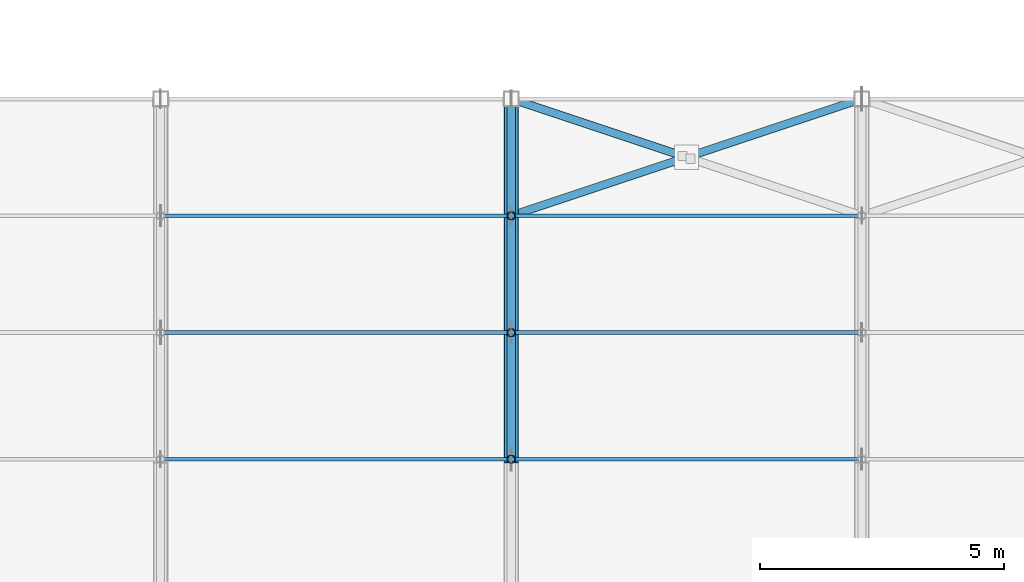
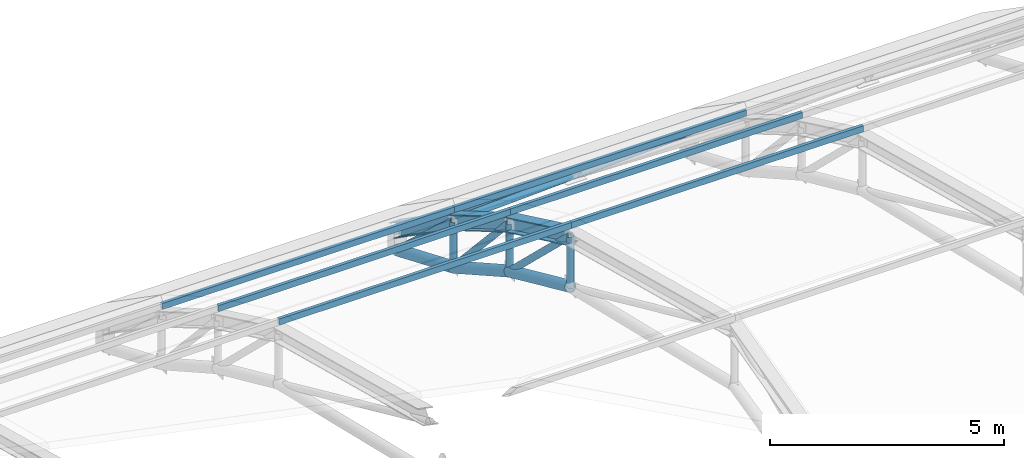
# One storey, part 29 of 63: 17 members, 3 beams.
"""IFC4 building model written with IfcOpenShell, lengths in metres."""

from ifc_helpers import new_model, si_unit, direction, frame, origin, origin_2d, place, context, subcontext, project, spatial, hollow_rectangle, hollow_circle, i_section, extrude, material, material_profile, profile_set, type_object, element, save


model = new_model("IFC4")

# Units and contexts
model_context = context("Model", 3, precision=1e-05, world=origin(), true_north=direction((0.0, 1.0)))
body_context = subcontext(model_context, "Body", "Model", "MODEL_VIEW")
ifc_project = project(units=[si_unit("LENGTHUNIT", "METRE"), si_unit("AREAUNIT", "SQUARE_METRE"), si_unit("VOLUMEUNIT", "CUBIC_METRE"), si_unit("PLANEANGLEUNIT", "RADIAN"), si_unit("MASSUNIT", "GRAM", prefix="KILO")], contexts=[model_context])

# Site, building, storey
site_placement = place(None, origin())
site = spatial("IfcSite", under=ifc_project, at=site_placement, CompositionType="ELEMENT")
building_placement = place(site_placement, origin())
building = spatial("IfcBuilding", under=site, at=building_placement, Name="Solvadek Multi-Sports Hall", CompositionType="ELEMENT")
storey_placement = place(building_placement, frame((0.0, 0.0, 19.199951171875)))
storey = spatial("IfcBuildingStorey", under=building, at=storey_placement, Name="RF", CompositionType="ELEMENT", Elevation=19.199951171875)

# Members
ifc_material_1 = material(Name="Steel E350 (350 MPa)", Category="steel")
ifc_material_profile_1 = material_profile(ifc_material_1, hollow_circle(Radius=0.084228515625, WallThickness=0.008056640625, at=origin_2d()), Name="CHS 168.3x8")
ifc_profile_set_1 = profile_set([ifc_material_profile_1], Name="Steel E350 (350 MPa)")
member_type_1 = type_object("IfcMemberType", Name="STR-BRC-CHS168", PredefinedType="BRACE", material=ifc_profile_set_1)
member_1_placement = place(storey_placement, frame((43.199951171875, 70.60009765625, -1.26708984375), z_axis=(0.0, 0.0, 1.0), x_axis=(1.0, 0.0, 0.0)))
element("IfcMember", 1, at=member_1_placement, inside=storey, type_object=member_type_1, Name="v4 Truss 4 Web Vertical 5", PredefinedType="BRACE", context=body_context, shape_type="SweptSolid", body=[
    extrude(hollow_circle(Radius=0.084228515625, WallThickness=0.008056640625, at=origin_2d()), origin(), (0.0, 0.0, 1.0), 1.329833984375),
])
member_2_placement = place(storey_placement, frame((43.199951171875, 70.60009765625, 0.062744140625), z_axis=(0.0, 0.720205061985, -0.693761247614), x_axis=(-1.0, 0.0, 0.0)))
element("IfcMember", 2, at=member_2_placement, inside=storey, type_object=member_type_1, Name="v4 Truss 4 Web Diagonal 6", PredefinedType="BRACE", context=body_context, shape_type="SweptSolid", body=[
    extrude(hollow_circle(Radius=0.084228515625, WallThickness=0.008056640625, at=origin_2d()), origin(), (0.0, 0.0, 1.0), 3.60986328125),
])
member_3_placement = place(storey_placement, frame((43.199951171875, 73.199951171875, -2.441650390625), z_axis=(0.0, 0.0, 1.0), x_axis=(1.0, 0.0, 0.0)))
element("IfcMember", 3, at=member_3_placement, inside=storey, type_object=member_type_1, Name="v4 Truss 4 Web Vertical 6", PredefinedType="BRACE", context=body_context, shape_type="SweptSolid", body=[
    extrude(hollow_circle(Radius=0.084228515625, WallThickness=0.008056640625, at=origin_2d()), origin(), (0.0, 0.0, 1.0), 1.2666015625),
])
member_4_placement = place(storey_placement, frame((43.199951171875, 73.199951171875, -1.175048828125), z_axis=(0.0, 0.675818010583, -0.737068529088), x_axis=(-1.0, 0.0, 0.0)))
element("IfcMember", 4, at=member_4_placement, inside=storey, type_object=member_type_1, Name="v4 Truss 4 Web Diagonal 7", PredefinedType="BRACE", context=body_context, shape_type="SweptSolid", body=[
    extrude(hollow_circle(Radius=0.084228515625, WallThickness=0.008056640625, at=origin_2d()), origin(), (0.0, 0.0, 1.0), 3.551513671875),
])
member_5_placement = place(storey_placement, frame((43.199951171875, 75.60009765625, -3.792724609375), z_axis=(0.0, 0.0, 1.0), x_axis=(1.0, 0.0, 0.0)))
element("IfcMember", 5, at=member_5_placement, inside=storey, type_object=member_type_1, Name="v4 Truss 4 Web Vertical 7", PredefinedType="BRACE", context=body_context, shape_type="SweptSolid", body=[
    extrude(hollow_circle(Radius=0.084228515625, WallThickness=0.008056640625, at=origin_2d()), origin(), (0.0, 0.0, 1.0), 1.208251953125),
])
member_6_placement = place(storey_placement, frame((43.199951171875, 75.60009765625, -2.58447265625), z_axis=(0.0, 0.734760457806, -0.678326668829), x_axis=(-1.0, 0.0, 0.0)))
element("IfcMember", 6, at=member_6_placement, inside=storey, type_object=member_type_1, Name="v4 Truss 4 Web Diagonal 8", PredefinedType="BRACE", context=body_context, shape_type="SweptSolid", body=[
    extrude(hollow_circle(Radius=0.084228515625, WallThickness=0.008056640625, at=origin_2d()), origin(), (0.0, 0.0, 1.0), 3.266357421875),
])
member_7_placement = place(storey_placement, frame((43.199951171875, 75.60009765625, -2.58447265625), z_axis=(0.926635337209, 0.308867972085, -0.214353744208), x_axis=(-0.316218115397, 0.948686514869, 0.0)))
element("IfcMember", 7, at=member_7_placement, inside=storey, type_object=member_type_1, Name="V4 Roof Plan Brace #19", PredefinedType="BRACE", context=body_context, shape_type="SweptSolid", body=[
    extrude(hollow_circle(Radius=0.084228515625, WallThickness=0.008056640625, at=origin_2d()), origin(), (0.0, 0.0, 1.0), 7.77001953125),
])
member_8_placement = place(storey_placement, frame((43.199951171875, 78.0, -4.25), z_axis=(0.926615355415, -0.308893240528, 0.214403705813), x_axis=(0.316247535538, 0.948676707981, 0.0)))
element("IfcMember", 8, at=member_8_placement, inside=storey, type_object=member_type_1, Name="V4 Roof Plan Half-Brace #20A", PredefinedType="BRACE", context=body_context, shape_type="SweptSolid", body=[
    extrude(hollow_circle(Radius=0.084228515625, WallThickness=0.008056640625, at=origin_2d()), origin(), (0.0, 0.0, 1.0), 3.79296875),
])
ifc_material_profile_2 = material_profile(ifc_material_1, hollow_circle(Radius=0.136474609375, WallThickness=0.011962890625, at=origin_2d()), Name="CHS 273.0x12")
ifc_profile_set_2 = profile_set([ifc_material_profile_2], Name="Steel E350 (350 MPa)")
member_type_2 = type_object("IfcMemberType", Name="STR-CHD-CHS273", PredefinedType="CHORD", material=ifc_profile_set_2)
member_9_placement = place(storey_placement, frame((43.199951171875, 70.60009765625, -1.26708984375), z_axis=(0.0, 0.911313637959, -0.411712828643), x_axis=(-1.0, 0.0, 0.0)))
element("IfcMember", 9, at=member_9_placement, inside=storey, type_object=member_type_2, Name="v4 Arched Truss 4 Bottom Chord 6", PredefinedType="CHORD", context=body_context, shape_type="SweptSolid", body=[
    extrude(hollow_circle(Radius=0.136474609375, WallThickness=0.011962890625, at=origin_2d()), origin(), (0.0, 0.0, 1.0), 2.852783203125),
])
member_10_placement = place(storey_placement, frame((43.199951171875, 73.199951171875, -2.441650390625), z_axis=(0.0, 0.871421623259, -0.49053476382), x_axis=(-1.0, 0.0, 0.0)))
element("IfcMember", 10, at=member_10_placement, inside=storey, type_object=member_type_2, Name="v4 Arched Truss 4 Bottom Chord 7", PredefinedType="CHORD", context=body_context, shape_type="SweptSolid", body=[
    extrude(hollow_circle(Radius=0.136474609375, WallThickness=0.011962890625, at=origin_2d()), origin(), (0.0, 0.0, 1.0), 2.75439453125),
])
member_11_placement = place(storey_placement, frame((43.199951171875, 75.60009765625, -3.792724609375), z_axis=(0.0, 0.922069154115, -0.38702516072), x_axis=(-1.0, 0.0, 0.0)))
element("IfcMember", 11, at=member_11_placement, inside=storey, type_object=member_type_2, Name="v4 Arched Truss 4 Bottom Chord 8", PredefinedType="CHORD", context=body_context, shape_type="SweptSolid", body=[
    extrude(hollow_circle(Radius=0.136474609375, WallThickness=0.011962890625, at=origin_2d()), origin(), (0.0, 0.0, 1.0), 2.602783203125),
])
ifc_material_2 = material(Name="Steel E250 (250 MPa)", Category="steel")
ifc_material_profile_3 = material_profile(ifc_material_2, hollow_rectangle(XDim=0.080078125, YDim=0.159912109375, WallThickness=0.006103515625, at=origin_2d()), Name="RHS 160x80x6")
ifc_profile_set_3 = profile_set([ifc_material_profile_3], Name="Steel E250 (250 MPa)")
member_type_3 = type_object("IfcMemberType", Name="STR-PUR-RHS160", PredefinedType="PURLIN", material=ifc_profile_set_3)
for number, where, z_axis, x_axis, name in (
    (12, (36.0, 70.60009765625, 0.34619140625), (1.0, 0.0, 0.0), (0.0, 1.0, 0.0), "V4 Roof Purlin #87"),
    (13, (36.0, 73.199951171875, -0.88232421875), (1.0, 0.0, 0.0), (0.0, 1.0, 0.0), "V4 Roof Purlin #88"),
    (14, (36.0, 75.60009765625, -2.28125), (1.0, 0.0, 0.0), (0.0, 1.0, 0.0), "V4 Roof Purlin #89"),
    (15, (43.199951171875, 70.60009765625, 0.34619140625), (1.0, 0.0, 0.0), (0.0, 1.0, 0.0), "V4 Roof Purlin #96"),
    (16, (43.199951171875, 73.199951171875, -0.88232421875), (1.0, 0.0, 0.0), (0.0, 1.0, 0.0), "V4 Roof Purlin #97"),
    (17, (43.199951171875, 75.60009765625, -2.28125), (1.0, 0.0, 0.0), (0.0, 1.0, 0.0), "V4 Roof Purlin #98"),
):
    element("IfcMember", number, at=place(storey_placement, frame(where, z_axis=z_axis, x_axis=x_axis)), inside=storey, type_object=member_type_3, Name=name, PredefinedType="PURLIN", context=body_context, shape_type="SweptSolid", body=[
        extrude(hollow_rectangle(XDim=0.080078125, YDim=0.159912109375, WallThickness=0.006103515625, at=origin_2d()), origin(), (0.0, 0.0, 1.0), 7.199951171875),
    ])

# Beams
ifc_material_profile_4 = material_profile(ifc_material_1, i_section(OverallWidth=0.300048828125, OverallDepth=0.360107421875, WebThickness=0.012451171875, FlangeThickness=0.0224609375, at=origin_2d()), Name="WPB 360")
ifc_profile_set_4 = profile_set([ifc_material_profile_4], Name="Steel E350 (350 MPa)")
beam_type = type_object("IfcBeamType", Name="STR-TRS-WPB360", PredefinedType="USERDEFINED", material=ifc_profile_set_4)
beam_1_placement = place(storey_placement, frame((43.199951171875, 70.60009765625, 0.062744140625), z_axis=(0.0, 0.902891860801, -0.429867756058), x_axis=(-1.0, 0.0, 0.0)))
element("IfcBeam", 18, at=beam_1_placement, inside=storey, type_object=beam_type, Name="v4 Arched Truss 4 Top Chord 6", ObjectType="ROOF TRUSS", PredefinedType="USERDEFINED", context=body_context, shape_type="SweptSolid", body=[
    extrude(i_section(OverallWidth=0.300048828125, OverallDepth=0.360107421875, WebThickness=0.012451171875, FlangeThickness=0.0224609375, at=origin_2d()), origin(), (0.0, 0.0, 1.0), 2.87939453125),
])
beam_2_placement = place(storey_placement, frame((43.199951171875, 73.199951171875, -1.175048828125), z_axis=(0.0, 0.862315042245, -0.506372163451), x_axis=(-1.0, 0.0, 0.0)))
element("IfcBeam", 19, at=beam_2_placement, inside=storey, type_object=beam_type, Name="v4 Arched Truss 4 Top Chord 7", ObjectType="ROOF TRUSS", PredefinedType="USERDEFINED", context=body_context, shape_type="SweptSolid", body=[
    extrude(i_section(OverallWidth=0.300048828125, OverallDepth=0.360107421875, WebThickness=0.012451171875, FlangeThickness=0.0224609375, at=origin_2d()), origin(), (0.0, 0.0, 1.0), 2.783447265625),
])
beam_3_placement = place(storey_placement, frame((43.199951171875, 75.60009765625, -2.58447265625), z_axis=(0.0, 0.821541776943, -0.5701483217), x_axis=(-1.0, 0.0, 0.0)))
element("IfcBeam", 20, at=beam_3_placement, inside=storey, type_object=beam_type, Name="v4 Arched Truss 4 Top Chord 8", ObjectType="ROOF TRUSS", PredefinedType="USERDEFINED", context=body_context, shape_type="SweptSolid", body=[
    extrude(i_section(OverallWidth=0.300048828125, OverallDepth=0.360107421875, WebThickness=0.012451171875, FlangeThickness=0.0224609375, at=origin_2d()), origin(), (0.0, 0.0, 1.0), 2.921142578125),
])

save(model, "model.ifc")
